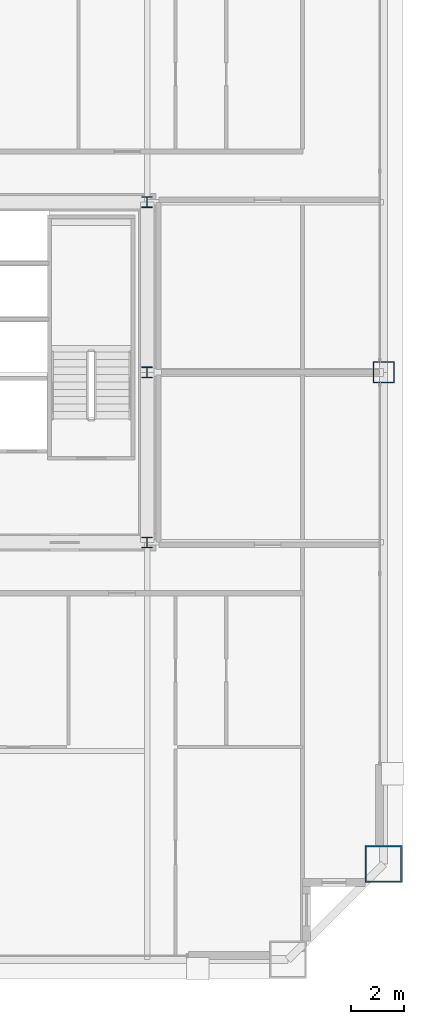
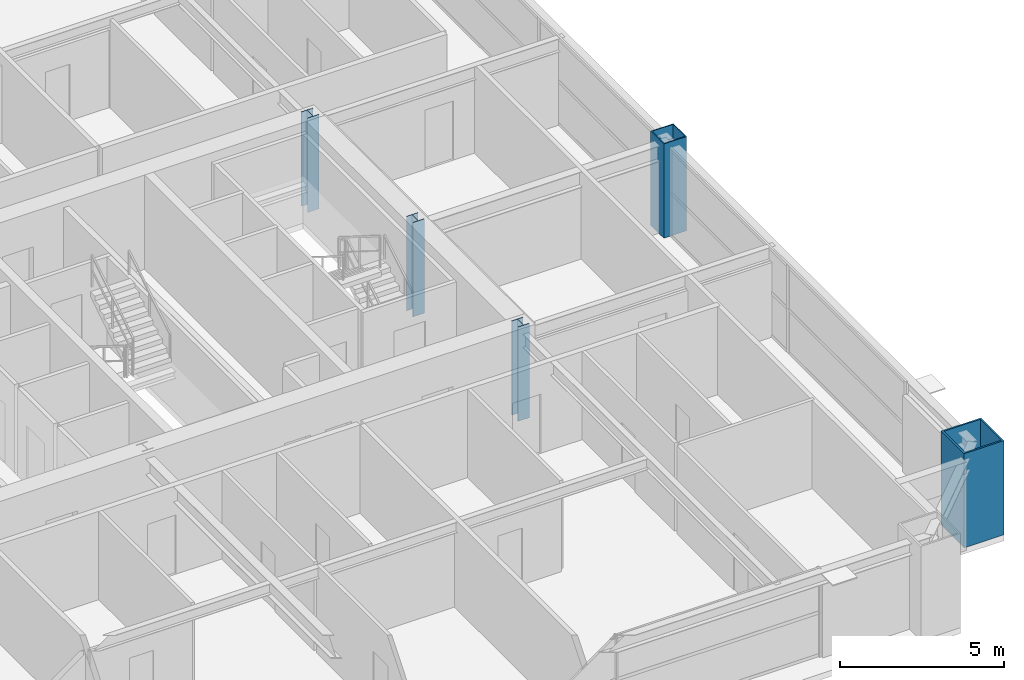
# One storey, part 2 of 38: 5 columns.
"""IFC4 building model written with IfcOpenShell, lengths in metres."""

from ifc_helpers import new_model, si_unit, direction, frame, origin, origin_2d, place, context, subcontext, project, spatial, hollow_rectangle, i_section, extrude, source, transform, mapped, material, material_profile, profile_set, type_object, element, save


model = new_model("IFC4")

# Units and contexts
model_context = context("Model", 3, precision=1e-05, world=origin(), true_north=direction((0.0, 1.0)))
body_context = subcontext(model_context, "Body", "Model", "MODEL_VIEW")
ifc_project = project(units=[si_unit("LENGTHUNIT", "METRE"), si_unit("AREAUNIT", "SQUARE_METRE"), si_unit("VOLUMEUNIT", "CUBIC_METRE"), si_unit("PLANEANGLEUNIT", "RADIAN"), si_unit("MASSUNIT", "GRAM", prefix="KILO"), si_unit("THERMODYNAMICTEMPERATUREUNIT", "KELVIN"), si_unit("POWERUNIT", "WATT")], contexts=[model_context])

# Site, building, storey
site_placement = place(None, origin())
site = spatial("IfcSite", under=ifc_project, at=site_placement, CompositionType="ELEMENT")
building_placement = place(site_placement, origin())
building = spatial("IfcBuilding", under=site, at=building_placement, Name="Yuzanri Waterfront Tower", CompositionType="ELEMENT")
storey_placement = place(building_placement, frame((0.0, 0.0, 209.0)))
storey = spatial("IfcBuildingStorey", under=building, at=storey_placement, Name="L55", CompositionType="ELEMENT", Elevation=209.0)

# Columns
ifc_material_1 = material(Name="Steel Q355B", Category="steel")
ifc_material_profile_1 = material_profile(ifc_material_1, i_section(OverallWidth=0.39990234375, OverallDepth=0.39990234375, WebThickness=0.012939453125, FlangeThickness=0.02099609375, at=origin_2d()), Name="HW 400x400x13x21")
ifc_profile_set_1 = profile_set([ifc_material_profile_1], Name="Steel Q355B")
column_type_1 = type_object("IfcColumnType", Name="Core Post Q355B HW 400x400x13x21", PredefinedType="COLUMN", material=ifc_profile_set_1)
shared_shape_1 = source(origin(), body_context, "Body", "SweptSolid", [
    extrude(i_section(OverallWidth=0.39990234375, OverallDepth=0.39990234375, WebThickness=0.012939453125, FlangeThickness=0.02099609375, at=origin_2d()), origin(), (0.0, 0.0, 1.0), 3.5),
])
for number, where, z_axis, x_axis, name in (
    (1, (50.199951171875, 19.39990234375, 0.0), (0.0, 0.0, 1.0), (1.0, 0.0, 0.0), "L55 Core Boundary Column CP3"),
    (2, (50.199951171875, 25.800048828125, 0.0), (0.0, 0.0, 1.0), (1.0, 0.0, 0.0), "L55 Core Boundary Column CP5"),
    (3, (50.199951171875, 32.199951171875, 0.0), (0.0, 0.0, 1.0), (1.0, 0.0, 0.0), "L55 Core Boundary Column CP8"),
):
    element("IfcColumn", number, at=place(storey_placement, frame(where, z_axis=z_axis, x_axis=x_axis)), inside=storey, type_object=column_type_1, Name=name, PredefinedType="COLUMN", context=body_context, shape_type="MappedRepresentation", body=[
        mapped(shared_shape_1, transform((0.0, 0.0, 0.0), scale=1.0)),
    ])
ifc_material_2 = material(Name="Steel Q420GJC", Category="steel")
ifc_material_profile_2 = material_profile(ifc_material_2, hollow_rectangle(XDim=1.39990234375, YDim=1.39990234375, WallThickness=0.06005859375, at=origin_2d()), Name="RHS 1400x1400x60")
ifc_profile_set_2 = profile_set([ifc_material_profile_2], Name="Steel Q420GJC")
column_type_2 = type_object("IfcColumnType", Name="Mega Column Q420GJC RHS 1400x1400x60", PredefinedType="COLUMN", material=ifc_profile_set_2)
shared_shape_2 = source(origin(), body_context, "Body", "SweptSolid", [
    extrude(hollow_rectangle(XDim=1.39990234375, YDim=1.39990234375, WallThickness=0.06005859375, at=origin_2d()), origin(), (0.0, 0.0, 1.0), 3.5),
])
column_1_placement = place(storey_placement, frame((59.10009765625, 7.300048828125, 0.0), z_axis=(0.0, 0.0, 1.0), x_axis=(1.0, 0.0, 0.0)))
element("IfcColumn", 4, at=column_1_placement, inside=storey, type_object=column_type_2, Name="L55 Perimeter Mega Column E1", PredefinedType="COLUMN", context=body_context, shape_type="MappedRepresentation", body=[
    mapped(shared_shape_2, transform((0.0, 0.0, 0.0), scale=1.0)),
])
ifc_material_3 = material(Name="Steel Q390GJC", Category="steel")
ifc_material_profile_3 = material_profile(ifc_material_3, hollow_rectangle(XDim=0.800048828125, YDim=0.800048828125, WallThickness=0.035888671875, at=origin_2d()), Name="RHS 800x800x36")
ifc_profile_set_3 = profile_set([ifc_material_profile_3], Name="Steel Q390GJC")
column_type_3 = type_object("IfcColumnType", Name="Frame Column Q390GJC RHS 800x800x36", PredefinedType="COLUMN", material=ifc_profile_set_3)
shared_shape_3 = source(origin(), body_context, "Body", "SweptSolid", [
    extrude(hollow_rectangle(XDim=0.800048828125, YDim=0.800048828125, WallThickness=0.035888671875, at=origin_2d()), origin(), (0.0, 0.0, 1.0), 3.5),
])
column_2_placement = place(storey_placement, frame((59.10009765625, 25.800048828125, 0.0), z_axis=(0.0, 0.0, 1.0), x_axis=(1.0, 0.0, 0.0)))
element("IfcColumn", 5, at=column_2_placement, inside=storey, type_object=column_type_3, Name="L55 Perimeter Frame Column E2", PredefinedType="COLUMN", context=body_context, shape_type="MappedRepresentation", body=[
    mapped(shared_shape_3, transform((0.0, 0.0, 0.0), scale=1.0)),
])

save(model, "model.ifc")
